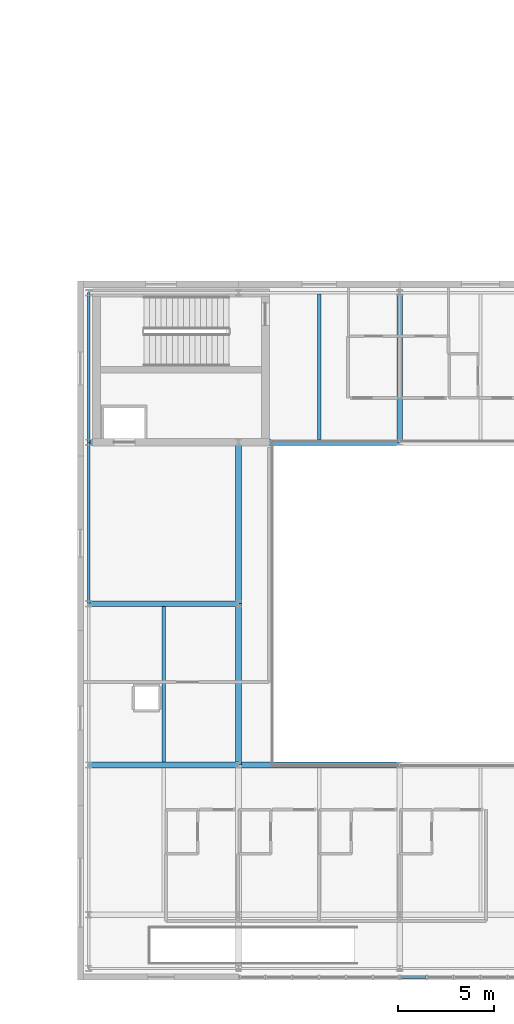
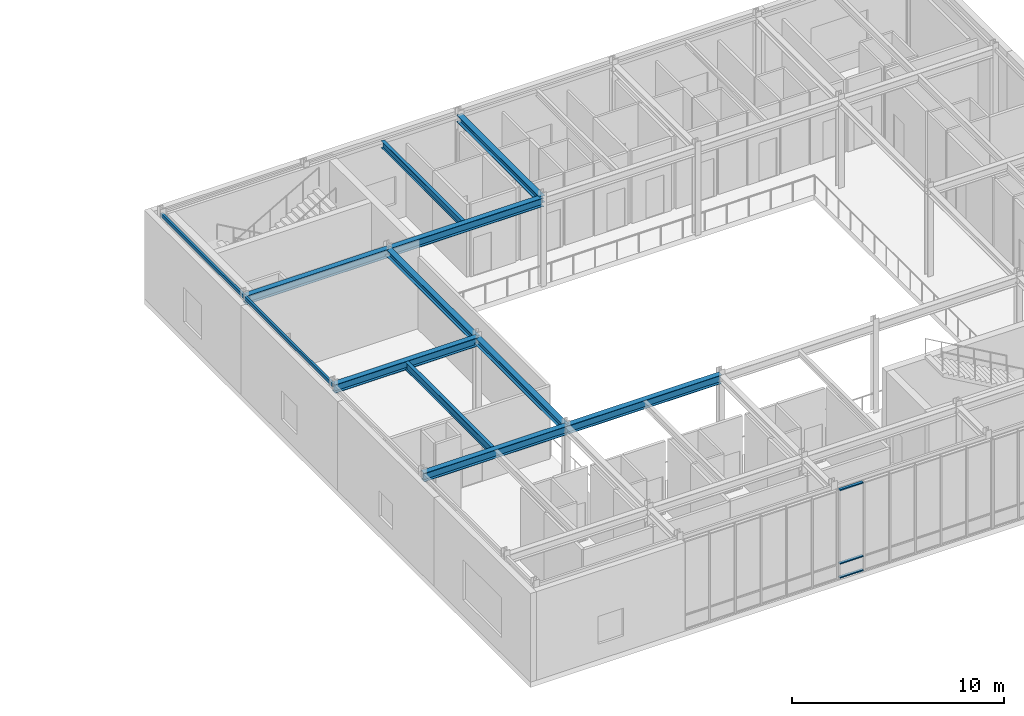
# One storey, part 77 of 139: 12 beams, 3 members, 1 element without a shape of its own.
"""IFC4 building model written with IfcOpenShell, lengths in metres."""

from ifc_helpers import new_model, si_unit, direction, frame, origin, origin_2d, place, context, subcontext, project, spatial, hollow_rectangle, i_section, extrude, material, layer, layer_set, material_profile, profile_set, type_object, element, aggregate, save


model = new_model("IFC4")

# Units and contexts
model_context = context("Model", 3, precision=1e-05, world=origin(), true_north=direction((0.0, 1.0)))
body_context = subcontext(model_context, "Body", "Model", "MODEL_VIEW")
ifc_project = project(units=[si_unit("LENGTHUNIT", "METRE"), si_unit("AREAUNIT", "SQUARE_METRE"), si_unit("VOLUMEUNIT", "CUBIC_METRE"), si_unit("PLANEANGLEUNIT", "RADIAN"), si_unit("MASSUNIT", "GRAM", prefix="KILO")], contexts=[model_context])

# Site, building, storey
site_placement = place(None, origin())
site = spatial("IfcSite", under=ifc_project, at=site_placement, CompositionType="ELEMENT")
building_placement = place(site_placement, origin())
building = spatial("IfcBuilding", under=site, at=building_placement, Name="Zayran Congress Hotel", CompositionType="ELEMENT")
storey_placement = place(building_placement, frame((0.0, 0.0, 5.39990234375)))
storey = spatial("IfcBuildingStorey", under=building, at=storey_placement, Name="L01", CompositionType="ELEMENT", Elevation=5.39990234375)

# Beams
ifc_material_1 = material(Name="Steel S355", Category="steel")
ifc_material_profile_1 = material_profile(ifc_material_1, i_section(OverallWidth=0.300048828125, OverallDepth=0.489990234375, WebThickness=0.011962890625, FlangeThickness=0.02294921875, at=origin_2d()), Name="HEA 500")
ifc_profile_set_1 = profile_set([ifc_material_profile_1], Name="Steel S355")
beam_type_1 = type_object("IfcBeamType", Name="TP-BM-05", PredefinedType="BEAM", material=ifc_profile_set_1)
beam_1_placement = place(storey_placement, frame((151.800048828125, 17.199951171875, 4.85498046875), z_axis=(1.0, 0.0, 0.0), x_axis=(0.0, 1.0, 0.0)))
element("IfcBeam", 1, at=beam_1_placement, inside=storey, type_object=beam_type_1, Name="BM-V3-L01-1121", PredefinedType="BEAM", context=body_context, shape_type="SweptSolid", body=[
    extrude(i_section(OverallWidth=0.300048828125, OverallDepth=0.489990234375, WebThickness=0.011962890625, FlangeThickness=0.02294921875, at=origin_2d()), origin(), (0.0, 0.0, 1.0), 7.800048828125),
])
beam_2_placement = place(storey_placement, frame((159.60009765625, 17.199951171875, 4.85498046875), z_axis=(1.0, 0.0, 0.0), x_axis=(0.0, 1.0, 0.0)))
element("IfcBeam", 2, at=beam_2_placement, inside=storey, type_object=beam_type_1, Name="BM-V3-L01-1122", PredefinedType="BEAM", context=body_context, shape_type="SweptSolid", body=[
    extrude(i_section(OverallWidth=0.300048828125, OverallDepth=0.489990234375, WebThickness=0.011962890625, FlangeThickness=0.02294921875, at=origin_2d()), origin(), (0.0, 0.0, 1.0), 8.39990234375),
])
for number, where, z_axis, x_axis, name in (
    (3, (151.800048828125, 25.60009765625, 4.85498046875), (1.0, 0.0, 0.0), (0.0, 1.0, 0.0), "BM-V3-L01-1126"),
    (4, (151.800048828125, 34.0, 4.85498046875), (1.0, 0.0, 0.0), (0.0, 1.0, 0.0), "BM-V3-L01-1128"),
):
    element("IfcBeam", number, at=place(storey_placement, frame(where, z_axis=z_axis, x_axis=x_axis)), inside=storey, type_object=beam_type_1, Name=name, PredefinedType="BEAM", context=body_context, shape_type="SweptSolid", body=[
        extrude(i_section(OverallWidth=0.300048828125, OverallDepth=0.489990234375, WebThickness=0.011962890625, FlangeThickness=0.02294921875, at=origin_2d()), origin(), (0.0, 0.0, 1.0), 7.800048828125),
    ])
beam_3_placement = place(storey_placement, frame((159.60009765625, 34.0, 4.85498046875), z_axis=(1.0, 0.0, 0.0), x_axis=(0.0, 1.0, 0.0)))
element("IfcBeam", 5, at=beam_3_placement, inside=storey, type_object=beam_type_1, Name="BM-V3-L01-1129", PredefinedType="BEAM", context=body_context, shape_type="SweptSolid", body=[
    extrude(i_section(OverallWidth=0.300048828125, OverallDepth=0.489990234375, WebThickness=0.011962890625, FlangeThickness=0.02294921875, at=origin_2d()), origin(), (0.0, 0.0, 1.0), 8.39990234375),
])
ifc_material_profile_2 = material_profile(ifc_material_1, i_section(OverallWidth=0.300048828125, OverallDepth=0.389892578125, WebThickness=0.010986328125, FlangeThickness=0.01904296875, at=origin_2d()), Name="HEA 400")
ifc_profile_set_2 = profile_set([ifc_material_profile_2], Name="Steel S355")
beam_type_2 = type_object("IfcBeamType", Name="TP-BM-06", PredefinedType="BEAM", material=ifc_profile_set_2)
beam_4_placement = place(storey_placement, frame((159.60009765625, 17.199951171875, 4.905029296875), z_axis=(0.0, 1.0, 0.0), x_axis=(-1.0, 0.0, 0.0)))
element("IfcBeam", 6, at=beam_4_placement, inside=storey, type_object=beam_type_2, Name="BM-V3-L01-1145", PredefinedType="BEAM", context=body_context, shape_type="SweptSolid", body=[
    extrude(i_section(OverallWidth=0.300048828125, OverallDepth=0.389892578125, WebThickness=0.010986328125, FlangeThickness=0.01904296875, at=origin_2d()), origin(), (0.0, 0.0, 1.0), 8.400146484375),
])
beam_5_placement = place(storey_placement, frame((159.60009765625, 25.60009765625, 4.905029296875), z_axis=(0.0, 1.0, 0.0), x_axis=(-1.0, 0.0, 0.0)))
element("IfcBeam", 7, at=beam_5_placement, inside=storey, type_object=beam_type_2, Name="BM-V3-L01-1146", PredefinedType="BEAM", context=body_context, shape_type="SweptSolid", body=[
    extrude(i_section(OverallWidth=0.300048828125, OverallDepth=0.389892578125, WebThickness=0.010986328125, FlangeThickness=0.01904296875, at=origin_2d()), origin(), (0.0, 0.0, 1.0), 8.39990234375),
])
beam_6_placement = place(storey_placement, frame((168.0, 34.0, 4.905029296875), z_axis=(0.0, 1.0, 0.0), x_axis=(-1.0, 0.0, 0.0)))
element("IfcBeam", 8, at=beam_6_placement, inside=storey, type_object=beam_type_2, Name="BM-V3-L01-1149", PredefinedType="BEAM", context=body_context, shape_type="SweptSolid", body=[
    extrude(i_section(OverallWidth=0.300048828125, OverallDepth=0.389892578125, WebThickness=0.010986328125, FlangeThickness=0.01904296875, at=origin_2d()), origin(), (0.0, 0.0, 1.0), 7.800048828125),
])
ifc_material_profile_3 = material_profile(ifc_material_1, i_section(OverallWidth=0.18994140625, OverallDepth=0.449951171875, WebThickness=0.009521484375, FlangeThickness=0.0146484375, at=origin_2d()), Name="IPE 450")
ifc_profile_set_3 = profile_set([ifc_material_profile_3], Name="Steel S355")
beam_type_3 = type_object("IfcBeamType", Name="TP-JS-02", PredefinedType="JOIST", material=ifc_profile_set_3)
beam_7_placement = place(storey_placement, frame((155.699951171875, 17.35009765625, 4.875), z_axis=(0.0, 1.0, 0.0), x_axis=(-1.0, 0.0, 0.0)))
element("IfcBeam", 9, at=beam_7_placement, inside=storey, type_object=beam_type_3, Name="JST-V3-L01-1163", PredefinedType="JOIST", context=body_context, shape_type="SweptSolid", body=[
    extrude(i_section(OverallWidth=0.18994140625, OverallDepth=0.449951171875, WebThickness=0.009521484375, FlangeThickness=0.0146484375, at=origin_2d()), origin(), (0.0, 0.0, 1.0), 8.099853515625),
])
ifc_material_profile_4 = material_profile(ifc_material_1, i_section(OverallWidth=0.179931640625, OverallDepth=0.39990234375, WebThickness=0.008544921875, FlangeThickness=0.013427734375, at=origin_2d()), Name="IPE 400")
ifc_profile_set_4 = profile_set([ifc_material_profile_4], Name="Steel S355")
beam_type_4 = type_object("IfcBeamType", Name="TP-JS-03", PredefinedType="JOIST", material=ifc_profile_set_4)
beam_8_placement = place(storey_placement, frame((163.800048828125, 34.14990234375, 4.900146484375), z_axis=(0.0, 1.0, 0.0), x_axis=(-1.0, 0.0, 0.0)))
element("IfcBeam", 10, at=beam_8_placement, inside=storey, type_object=beam_type_4, Name="JST-V3-L01-1166", PredefinedType="JOIST", context=body_context, shape_type="SweptSolid", body=[
    extrude(i_section(OverallWidth=0.179931640625, OverallDepth=0.39990234375, WebThickness=0.008544921875, FlangeThickness=0.013427734375, at=origin_2d()), origin(), (0.0, 0.0, 1.0), 7.590087890625),
])
ifc_material_profile_5 = material_profile(ifc_material_1, hollow_rectangle(XDim=0.1201171875, YDim=0.199951171875, WallThickness=0.008056640625, at=origin_2d()), Name="RHS 200x120x8")
ifc_profile_set_5 = profile_set([ifc_material_profile_5], Name="Steel S355")
beam_type_5 = type_object("IfcBeamType", Name="TP-SP-02", PredefinedType="SPANDREL", material=ifc_profile_set_5)
beam_9_placement = place(storey_placement, frame((151.800048828125, 25.60009765625, 5.0), z_axis=(0.0, 1.0, 0.0), x_axis=(-1.0, 0.0, 0.0)))
element("IfcBeam", 11, at=beam_9_placement, inside=storey, type_object=beam_type_5, Name="BM-V3-L01-1141", PredefinedType="SPANDREL", context=body_context, shape_type="SweptSolid", body=[
    extrude(hollow_rectangle(XDim=0.1201171875, YDim=0.199951171875, WallThickness=0.008056640625, at=origin_2d()), origin(), (0.0, 0.0, 1.0), 8.39990234375),
])
beam_10_placement = place(storey_placement, frame((151.800048828125, 34.0, 5.0), z_axis=(0.0, 1.0, 0.0), x_axis=(-1.0, 0.0, 0.0)))
element("IfcBeam", 12, at=beam_10_placement, inside=storey, type_object=beam_type_5, Name="BM-V3-L01-1142", PredefinedType="SPANDREL", context=body_context, shape_type="SweptSolid", body=[
    extrude(hollow_rectangle(XDim=0.1201171875, YDim=0.199951171875, WallThickness=0.008056640625, at=origin_2d()), origin(), (0.0, 0.0, 1.0), 7.800048828125),
])

# Curtain wall, members
ifc_material_2 = material(Name="Anodised aluminium and low-E insulated glass", Category="aluminium")
ifc_layer = layer(ifc_material_2, 0.179931640625)
ifc_layer_set = layer_set([ifc_layer], Name="Anodised aluminium and low-E insulated glass")
curtain_wall_type = type_object("IfcCurtainWallType", Name="CW-V3S-L01-CW-V31-8390-5100", PredefinedType="USERDEFINED", material=ifc_layer_set)
curtain_wall_placement = place(storey_placement, origin())
curtain_wall = element("IfcCurtainWall", 13, at=curtain_wall_placement, inside=storey, type_object=curtain_wall_type, Name="CW-V3S-L01-2", ObjectType="CURTAIN WALL", PredefinedType="USERDEFINED")
ifc_material_3 = material(Name="Anodised aluminium framing", Category="aluminium")
ifc_material_profile_6 = material_profile(ifc_material_3, hollow_rectangle(XDim=0.06005859375, YDim=0.14990234375, WallThickness=0.00390625, at=origin_2d()), Name="RHS 150x60x4")
ifc_profile_set_6 = profile_set([ifc_material_profile_6], Name="Anodised aluminium framing")
member_type = type_object("IfcMemberType", Name="TP-CWT-01", PredefinedType="USERDEFINED", material=ifc_profile_set_6)
member_1_placement = place(storey_placement, frame((168.0849609375, 6.159912109375, 0.030029296875), z_axis=(1.0, 0.0, 0.0), x_axis=(0.0, 0.0, 1.0)))
member_1 = element("IfcMember", 14, at=member_1_placement, type_object=member_type, Name="CW-V3S-L01-2-T00-0", ObjectType="TRANSOM", PredefinedType="USERDEFINED", context=body_context, shape_type="SweptSolid", body=[
    extrude(hollow_rectangle(XDim=0.06005859375, YDim=0.14990234375, WallThickness=0.00390625, at=origin_2d()), origin(), (0.0, 0.0, 1.0), 1.2783203125),
])
member_2_placement = place(storey_placement, frame((168.0849609375, 6.159912109375, 0.840087890625), z_axis=(1.0, 0.0, 0.0), x_axis=(0.0, 0.0, 1.0)))
member_2 = element("IfcMember", 15, at=member_2_placement, type_object=member_type, Name="CW-V3S-L01-2-T00-1", ObjectType="TRANSOM", PredefinedType="USERDEFINED", context=body_context, shape_type="SweptSolid", body=[
    extrude(hollow_rectangle(XDim=0.06005859375, YDim=0.14990234375, WallThickness=0.00390625, at=origin_2d()), origin(), (0.0, 0.0, 1.0), 1.2783203125),
])
member_3_placement = place(storey_placement, frame((168.0849609375, 6.159912109375, 5.070068359375), z_axis=(1.0, 0.0, 0.0), x_axis=(0.0, 0.0, 1.0)))
member_3 = element("IfcMember", 16, at=member_3_placement, type_object=member_type, Name="CW-V3S-L01-2-T00-2", ObjectType="TRANSOM", PredefinedType="USERDEFINED", context=body_context, shape_type="SweptSolid", body=[
    extrude(hollow_rectangle(XDim=0.06005859375, YDim=0.14990234375, WallThickness=0.00390625, at=origin_2d()), origin(), (0.0, 0.0, 1.0), 1.2783203125),
])
aggregate(curtain_wall, [member_1, member_2, member_3])

save(model, "model.ifc")
